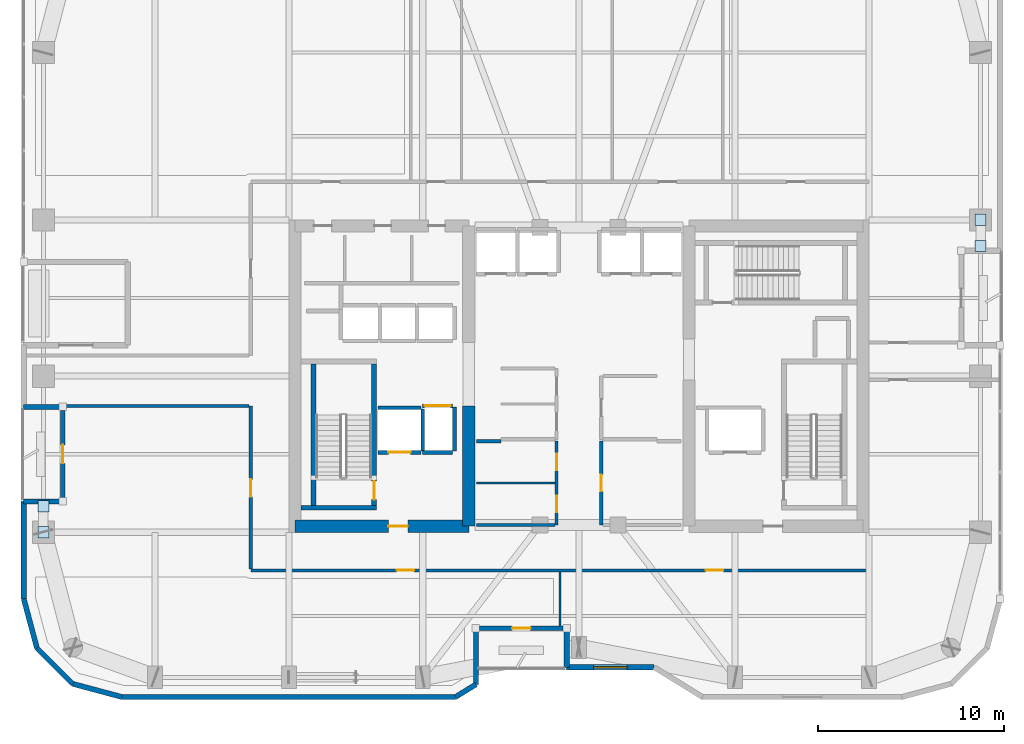
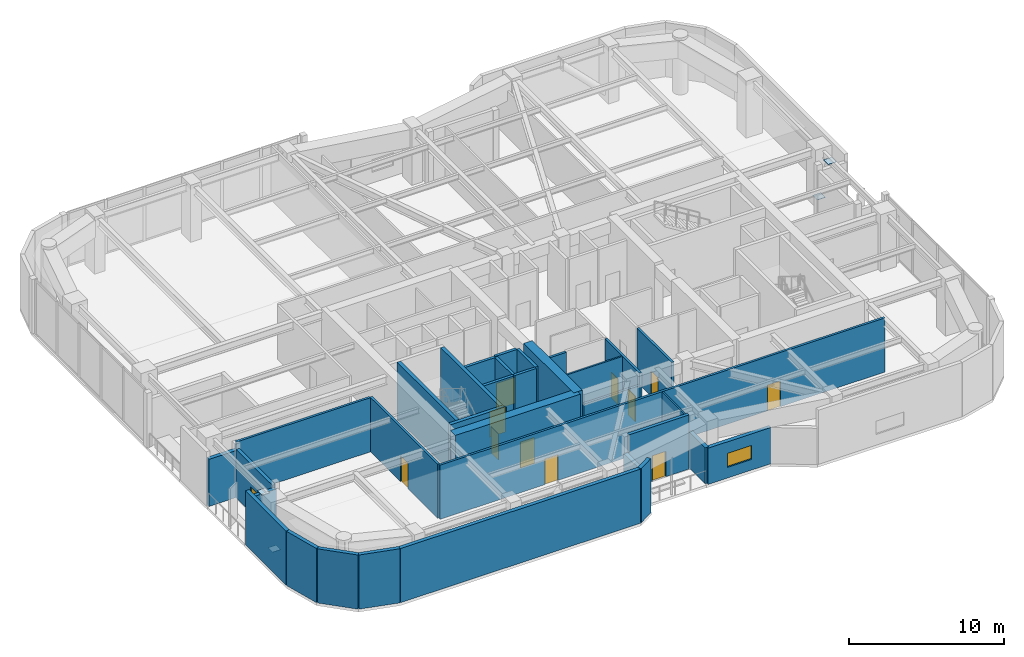
# One storey, part 15 of 21: 33 walls, 12 doors, 4 plates, 1 window, 13 openings.
"""IFC4 building model written with IfcOpenShell, lengths in metres."""

from ifc_helpers import new_model, si_unit, direction, frame, frame_2d, origin, origin_2d, place, context, subcontext, project, spatial, rectangle, extrude, material, layer, layer_set, type_object, element, fill, save


model = new_model("IFC4")

# Units and contexts
model_context = context("Model", 3, precision=1e-05, world=origin(), true_north=direction((0.0, 1.0)))
body_context = subcontext(model_context, "Body", "Model", "MODEL_VIEW")
ifc_project = project(units=[si_unit("LENGTHUNIT", "METRE"), si_unit("AREAUNIT", "SQUARE_METRE"), si_unit("VOLUMEUNIT", "CUBIC_METRE"), si_unit("PLANEANGLEUNIT", "RADIAN"), si_unit("MASSUNIT", "GRAM", prefix="KILO")], contexts=[model_context])

# Site, building, storey
site_placement = place(None, origin())
site = spatial("IfcSite", under=ifc_project, at=site_placement, CompositionType="ELEMENT")
building_placement = place(site_placement, origin())
building = spatial("IfcBuilding", under=site, at=building_placement, Name="Kiyonajd Concourse Tower", CompositionType="ELEMENT")
storey_placement = place(building_placement, frame((0.0, 0.0, 181.800048828125)))
storey = spatial("IfcBuildingStorey", under=building, at=storey_placement, Name="L46", CompositionType="ELEMENT", Elevation=181.800048828125)

# Plates
ifc_material_1 = material(Name="Steel ASTM A572 Grade 50", Category="steel")
ifc_layer_1 = layer(ifc_material_1, 0.028076171875)
ifc_layer_set_1 = layer_set([ifc_layer_1], Name="Steel ASTM A572 Grade 50")
plate_type = type_object("IfcPlateType", Name="PL-CAP-450", PredefinedType="USERDEFINED", material=ifc_layer_set_1)
for number, where, z_axis, x_axis, name in (
    (1, (19.199951171875, 27.595947265625, 0.275390625), (0.0, 0.0, 1.0), (1.0, 0.0, 0.0), "L46 Hollow Brace End Cap Plate PBW"),
    (2, (19.199951171875, 29.00390625, 3.92626953125), (0.0, 0.0, 1.0), (1.0, 0.0, 0.0), "L46 Hollow Brace Top Cap Plate PBW"),
    (3, (69.60009765625, 44.404052734375, 0.275390625), (0.0, 0.0, 1.0), (1.0, 0.0, 0.0), "L46 Hollow Brace End Cap Plate PBE"),
    (4, (69.60009765625, 42.99609375, 3.92626953125), (0.0, 0.0, 1.0), (1.0, 0.0, 0.0), "L46 Hollow Brace Top Cap Plate PBE"),
):
    element("IfcPlate", number, at=place(storey_placement, frame(where, z_axis=z_axis, x_axis=x_axis)), inside=storey, type_object=plate_type, Name=name, ObjectType="CAP PLATE", PredefinedType="USERDEFINED", context=body_context, shape_type="SweptSolid", body=[
        extrude(rectangle(XDim=0.60791015625, YDim=0.60791015625, at=origin_2d()), origin(), (0.0, 0.0, 1.0), 0.028076171875),
    ])

# Wall
ifc_material_2 = material(Name="Concrete C60/75", Category="concrete")
ifc_layer_2 = layer(ifc_material_2, 0.64990234375)
ifc_layer_set_2 = layer_set([ifc_layer_2], Name="Concrete C60/75")
wall_type_1 = type_object("IfcWallType", Name="WL-CORE-650", PredefinedType="SHEAR", material=ifc_layer_set_2)
wall_1_placement = place(storey_placement, frame((42.074951171875, 27.925048828125, 0.0), z_axis=(0.0, 0.0, 1.0), x_axis=(0.0, 1.0, 0.0)))
element("IfcWall", 5, at=wall_1_placement, inside=storey, type_object=wall_type_1, Name="L46 West Core Inner South Shear Wall", PredefinedType="SHEAR", context=body_context, shape_type="SweptSolid", body=[
    extrude(rectangle(XDim=6.474853515625, YDim=0.64990234375, at=frame_2d((3.2373046875, 0.0))), origin(), (0.0, 0.0, 1.0), 4.5),
])

# Wall, opening, door
wall_2_placement = place(storey_placement, frame((32.72509765625, 27.925048828125, 0.0), z_axis=(0.0, 0.0, 1.0), x_axis=(1.0, 0.0, 0.0)))
wall_2 = element("IfcWall", 6, at=wall_2_placement, inside=storey, type_object=wall_type_1, Name="L46 West Core South Shear Wall", PredefinedType="SHEAR", context=body_context, shape_type="SweptSolid", body=[
    extrude(rectangle(XDim=9.349853515625, YDim=0.64990234375, at=frame_2d((4.6748046875, 0.0))), origin(), (0.0, 0.0, 1.0), 4.5),
])
opening_1_placement = place(wall_2_placement, frame((5.02490234375, 0.0, 0.0)))
opening_1 = element("IfcOpeningElement", 7, at=opening_1_placement, cuts=wall_2, Name="Opening DF5", PredefinedType="OPENING", context=body_context, shape_type="SweptSolid", body=[
    extrude(rectangle(XDim=1.050048828125, YDim=2.0400390625, at=frame_2d((0.52490234375, 1.02001953125))), frame((0.0, 0.3349609375, 0.0), z_axis=(0.0, -1.0, 0.0), x_axis=(1.0, 0.0, 0.0)), (0.0, 0.0, 1.0), 0.669921875),
])
ifc_material_3 = material(Name="Brushed Stainless Steel Cab Assembly", Category="steel")
door_type_1 = type_object("IfcDoorType", Name="DR-FD45-1050", OperationType="NOTDEFINED", PredefinedType="DOOR", material=ifc_material_3)
door_1_placement = place(opening_1_placement, origin())
door_1 = element("IfcDoor", 8, at=door_1_placement, inside=storey, type_object=door_type_1, Name="L46 Firefighting Lift Lobby W Smoke Door", OperationType="SINGLE_SWING_LEFT", OverallHeight=2.0400390625, OverallWidth=1.050048828125, PredefinedType="DOOR", context=body_context, shape_type="SweptSolid", body=[
    extrude(rectangle(XDim=1.050048828125, YDim=2.0400390625, at=frame_2d((0.52490234375, 1.02001953125))), frame((0.0, 0.02490234375, 0.0), z_axis=(0.0, -1.0, 0.0), x_axis=(1.0, 0.0, 0.0)), (0.0, 0.0, 1.0), 0.050048828125),
])
fill(opening_1, door_1)

# Walls
ifc_material_4 = material(Name="Precast concrete C50/60", Category="concrete")
ifc_layer_3 = layer(ifc_material_4, 0.280029296875)
ifc_layer_set_3 = layer_set([ifc_layer_3], Name="Precast concrete C50/60")
wall_type_2 = type_object("IfcWallType", Name="WL-EXT-280", PredefinedType="SOLIDWALL", material=ifc_layer_set_3)
wall_3_placement = place(storey_placement, frame((18.139892578125, 24.018310546875, 0.0), z_axis=(0.0, 0.0, 1.0), x_axis=(0.0, 1.0, 0.0)))
element("IfcWall", 9, at=wall_3_placement, inside=storey, type_object=wall_type_2, Name="L46 Exterior Concrete Frame Wall 00", PredefinedType="SOLIDWALL", context=body_context, shape_type="SweptSolid", body=[
    extrude(rectangle(XDim=5.24169921875, YDim=0.280029296875, at=frame_2d((2.620849609375, 0.0))), origin(), (0.0, 0.0, 1.0), 4.280029296875),
])
for number, where, z_axis, x_axis, name in (
    (10, (18.139892578125, 29.260009765625, 0.0), (0.0, 0.0, 1.0), (1.0, 0.0, 0.0), "L46 Exterior Concrete Frame Wall 01"),
    (11, (20.239990234375, 34.340087890625, 0.0), (0.0, 0.0, 1.0), (-1.0, 0.0, 0.0), "L46 Exterior Concrete Frame Wall 03"),
):
    element("IfcWall", number, at=place(storey_placement, frame(where, z_axis=z_axis, x_axis=x_axis)), inside=storey, type_object=wall_type_2, Name=name, PredefinedType="SOLIDWALL", context=body_context, shape_type="SweptSolid", body=[
        extrude(rectangle(XDim=2.10009765625, YDim=0.280029296875, at=frame_2d((1.050048828125, 0.0))), origin(), (0.0, 0.0, 1.0), 3.716064453125),
    ])

# Wall, opening, window
wall_4_placement = place(storey_placement, frame((52.03955078125, 20.340087890625, 0.0), z_axis=(0.0, 0.0, 1.0), x_axis=(-1.0, 0.0, 0.0)))
wall_4 = element("IfcWall", 12, at=wall_4_placement, inside=storey, type_object=wall_type_2, Name="L46 Exterior Concrete Frame Wall 33", PredefinedType="SOLIDWALL", context=body_context, shape_type="SweptSolid", body=[
    extrude(rectangle(XDim=4.699462890625, YDim=0.280029296875, at=frame_2d((2.349609375, 0.0))), origin(), (0.0, 0.0, 1.0), 2.864990234375),
])
opening_2_placement = place(wall_4_placement, frame((1.449951171875, 0.0, 0.85009765625)))
opening_2 = element("IfcOpeningElement", 13, at=opening_2_placement, cuts=wall_4, Name="Opening WN1", PredefinedType="OPENING", context=body_context, shape_type="SweptSolid", body=[
    extrude(rectangle(XDim=1.800048828125, YDim=1.10009765625, at=frame_2d((0.89990234375, 0.550048828125))), frame((0.0, 0.14990234375, 0.0), z_axis=(0.0, -1.0, 0.0), x_axis=(1.0, 0.0, 0.0)), (0.0, 0.0, 1.0), 0.300048828125),
])
ifc_material_5 = material(Name="Double Low-E Insulated Glass", Category="glass")
window_type = type_object("IfcWindowType", Name="WN-VIS-1800x1100", PartitioningType="SINGLE_PANEL", PredefinedType="WINDOW", material=ifc_material_5)
window_placement = place(opening_2_placement, origin())
window = element("IfcWindow", 14, at=window_placement, inside=storey, type_object=window_type, Name="L46 Modular Facade Vision Window 33", OverallHeight=1.10009765625, OverallWidth=1.800048828125, PartitioningType="SINGLE_PANEL", PredefinedType="WINDOW", context=body_context, shape_type="SweptSolid", body=[
    extrude(rectangle(XDim=1.800048828125, YDim=1.10009765625, at=frame_2d((0.89990234375, 0.550048828125))), frame((0.0, 0.030029296875, 0.0), z_axis=(0.0, -1.0, 0.0), x_axis=(1.0, 0.0, 0.0)), (0.0, 0.0, 1.0), 0.06005859375),
])
fill(opening_2, window)

# Walls
wall_5_placement = place(storey_placement, frame((47.340087890625, 20.340087890625, 0.0), z_axis=(0.0, 0.0, 1.0), x_axis=(0.0, 1.0, 0.0)))
element("IfcWall", 15, at=wall_5_placement, inside=storey, type_object=wall_type_2, Name="L46 Exterior Concrete Frame Wall 34", PredefinedType="SOLIDWALL", context=body_context, shape_type="SweptSolid", body=[
    extrude(rectangle(XDim=2.099853515625, YDim=0.280029296875, at=frame_2d((1.0498046875, 0.0))), origin(), (0.0, 0.0, 1.0), 2.864990234375),
])
wall_6_placement = place(storey_placement, frame((42.4599609375, 22.43994140625, 0.0), z_axis=(0.0, 0.0, 1.0), x_axis=(0.0, -1.0, 0.0)))
element("IfcWall", 16, at=wall_6_placement, inside=storey, type_object=wall_type_2, Name="L46 Exterior Concrete Frame Wall 36", PredefinedType="SOLIDWALL", context=body_context, shape_type="SweptSolid", body=[
    extrude(rectangle(XDim=3.023681640625, YDim=0.280029296875, at=frame_2d((1.51171875, 0.0))), origin(), (0.0, 0.0, 1.0), 2.864990234375),
])
wall_7_placement = place(storey_placement, frame((42.4599609375, 19.416259765625, 0.0), z_axis=(0.0, 0.0, 1.0), x_axis=(-0.851801140441, -0.523865266212, 0.0)))
element("IfcWall", 17, at=wall_7_placement, inside=storey, type_object=wall_type_2, Name="L46 Exterior Concrete Frame Wall 37", PredefinedType="SOLIDWALL", context=body_context, shape_type="SweptSolid", body=[
    extrude(rectangle(XDim=1.291015625, YDim=0.280029296875, at=frame_2d((0.6455078125, 0.0))), origin(), (0.0, 0.0, 1.0), 4.280029296875),
])
wall_8_placement = place(storey_placement, frame((41.3603515625, 18.739990234375, 0.0), z_axis=(0.0, 0.0, 1.0), x_axis=(-1.0, 0.0, 0.0)))
element("IfcWall", 18, at=wall_8_placement, inside=storey, type_object=wall_type_2, Name="L46 Exterior Concrete Frame Wall 38", PredefinedType="SOLIDWALL", context=body_context, shape_type="SweptSolid", body=[
    extrude(rectangle(XDim=17.94189453125, YDim=0.280029296875, at=frame_2d((8.970947265625, 0.0))), origin(), (0.0, 0.0, 1.0), 4.280029296875),
])
wall_9_placement = place(storey_placement, frame((23.41845703125, 18.739990234375, 0.0), z_axis=(0.0, 0.0, 1.0), x_axis=(-0.965971118627, 0.258649952598, 0.0)))
element("IfcWall", 19, at=wall_9_placement, inside=storey, type_object=wall_type_2, Name="L46 Exterior Concrete Frame Wall 39", PredefinedType="SOLIDWALL", context=body_context, shape_type="SweptSolid", body=[
    extrude(rectangle(XDim=2.7392578125, YDim=0.280029296875, at=frame_2d((1.36962890625, 0.0))), origin(), (0.0, 0.0, 1.0), 4.280029296875),
])
wall_10_placement = place(storey_placement, frame((20.7724609375, 19.448486328125, 0.0), z_axis=(0.0, 0.0, 1.0), x_axis=(-0.707106781187, 0.707106781187, 0.0)))
element("IfcWall", 20, at=wall_10_placement, inside=storey, type_object=wall_type_2, Name="L46 Exterior Concrete Frame Wall 40", PredefinedType="SOLIDWALL", context=body_context, shape_type="SweptSolid", body=[
    extrude(rectangle(XDim=2.720947265625, YDim=0.280029296875, at=frame_2d((1.3603515625, 0.0))), origin(), (0.0, 0.0, 1.0), 4.280029296875),
])
wall_11_placement = place(storey_placement, frame((18.848388671875, 21.37255859375, 0.0), z_axis=(0.0, 0.0, 1.0), x_axis=(-0.258672222976, 0.9659651552, 0.0)))
element("IfcWall", 21, at=wall_11_placement, inside=storey, type_object=wall_type_2, Name="L46 Exterior Concrete Frame Wall 41", PredefinedType="SOLIDWALL", context=body_context, shape_type="SweptSolid", body=[
    extrude(rectangle(XDim=2.739013671875, YDim=0.280029296875, at=frame_2d((1.36962890625, 0.0))), origin(), (0.0, 0.0, 1.0), 4.280029296875),
])

# Wall, opening, door
ifc_layer_4 = layer(ifc_material_4, 0.239990234375)
ifc_layer_set_4 = layer_set([ifc_layer_4], Name="Precast concrete C50/60")
wall_type_3 = type_object("IfcWallType", Name="WL-LOG-240", PredefinedType="SOLIDWALL", material=ifc_layer_set_4)
wall_12_placement = place(storey_placement, frame((20.239990234375, 29.455078125, 0.0), z_axis=(0.0, 0.0, 1.0), x_axis=(0.0, 1.0, 0.0)))
wall_12 = element("IfcWall", 22, at=wall_12_placement, inside=storey, type_object=wall_type_3, Name="L46 Recessed Loggia Thermal Wall LOG-W", PredefinedType="SOLIDWALL", context=body_context, shape_type="SweptSolid", body=[
    extrude(rectangle(XDim=4.68994140625, YDim=0.239990234375, at=frame_2d((2.344970703125, 0.0))), origin(), (0.0, 0.0, 1.0), 3.847900390625),
])
opening_3_placement = place(wall_12_placement, frame((1.844970703125, 0.0, 0.0)))
opening_3 = element("IfcOpeningElement", 23, at=opening_3_placement, cuts=wall_12, Name="Opening DL1", PredefinedType="OPENING", context=body_context, shape_type="SweptSolid", body=[
    extrude(rectangle(XDim=1.0, YDim=2.02001953125, at=frame_2d((0.5, 1.010009765625))), frame((0.0, 0.1298828125, 0.0), z_axis=(0.0, -1.0, 0.0), x_axis=(1.0, 0.0, 0.0)), (0.0, 0.0, 1.0), 0.260009765625),
])
ifc_material_6 = material(Name="Thermally Broken Anodised Aluminium", Category="aluminium")
door_type_2 = type_object("IfcDoorType", Name="DR-LOG-1000", OperationType="NOTDEFINED", PredefinedType="DOOR", material=ifc_material_6)
door_2_placement = place(opening_3_placement, origin())
door_2 = element("IfcDoor", 24, at=door_2_placement, inside=storey, type_object=door_type_2, Name="L46 Engawa Loggia Access Door LOG-W", OperationType="SINGLE_SWING_LEFT", OverallHeight=2.02001953125, OverallWidth=1.0, PredefinedType="DOOR", context=body_context, shape_type="SweptSolid", body=[
    extrude(rectangle(XDim=1.0, YDim=2.02001953125, at=frame_2d((0.5, 1.010009765625))), frame((0.0, 0.02490234375, 0.0), z_axis=(0.0, -1.0, 0.0), x_axis=(1.0, 0.0, 0.0)), (0.0, 0.0, 1.0), 0.050048828125),
])
fill(opening_3, door_2)

wall_13_placement = place(storey_placement, frame((47.14501953125, 22.43994140625, 0.0), z_axis=(0.0, 0.0, 1.0), x_axis=(-1.0, 0.0, 0.0)))
wall_13 = element("IfcWall", 25, at=wall_13_placement, inside=storey, type_object=wall_type_3, Name="L46 Recessed Loggia Thermal Wall LOG-S", PredefinedType="SOLIDWALL", context=body_context, shape_type="SweptSolid", body=[
    extrude(rectangle(XDim=4.489990234375, YDim=0.239990234375, at=frame_2d((2.2451171875, 0.0))), origin(), (0.0, 0.0, 1.0), 4.280029296875),
])
opening_4_placement = place(wall_13_placement, frame((1.7451171875, 0.0, 0.0)))
opening_4 = element("IfcOpeningElement", 26, at=opening_4_placement, cuts=wall_13, Name="Opening DL1", PredefinedType="OPENING", context=body_context, shape_type="SweptSolid", body=[
    extrude(rectangle(XDim=1.0, YDim=2.02001953125, at=frame_2d((0.5, 1.010009765625))), frame((0.0, 0.1298828125, 0.0), z_axis=(0.0, -1.0, 0.0), x_axis=(1.0, 0.0, 0.0)), (0.0, 0.0, 1.0), 0.260009765625),
])
door_3_placement = place(opening_4_placement, origin())
door_3 = element("IfcDoor", 27, at=door_3_placement, inside=storey, type_object=door_type_2, Name="L46 Engawa Loggia Access Door LOG-S", OperationType="SINGLE_SWING_RIGHT", OverallHeight=2.02001953125, OverallWidth=1.0, PredefinedType="DOOR", context=body_context, shape_type="SweptSolid", body=[
    extrude(rectangle(XDim=1.0, YDim=2.02001953125, at=frame_2d((0.5, 1.010009765625))), frame((0.0, 0.02490234375, 0.0), z_axis=(0.0, -1.0, 0.0), x_axis=(1.0, 0.0, 0.0)), (0.0, 0.0, 1.0), 0.050048828125),
])
fill(opening_4, door_3)

# Walls
ifc_material_7 = material(Name="Gypsum Board on Cold-Formed Steel Stud", Category="steel")
ifc_layer_5 = layer(ifc_material_7, 0.125)
ifc_layer_set_5 = layer_set([ifc_layer_5], Name="Gypsum Board on Cold-Formed Steel Stud")
wall_type_4 = type_object("IfcWallType", Name="WL-PART-125", PredefinedType="PARTITIONING", material=ifc_layer_set_5)
wall_14_placement = place(storey_placement, frame((42.5, 30.25, 0.0), z_axis=(0.0, 0.0, 1.0), x_axis=(1.0, 0.0, 0.0)))
element("IfcWall", 28, at=wall_14_placement, inside=storey, type_object=wall_type_4, Name="L46 Interior Partition Wall", PredefinedType="PARTITIONING", context=body_context, shape_type="SweptSolid", body=[
    extrude(rectangle(XDim=4.212890625, YDim=0.125, at=frame_2d((2.1064453125, 0.0))), origin(), (0.0, 0.0, 1.0), 4.280029296875),
])
wall_15_placement = place(storey_placement, frame((46.97998046875, 22.554931640625, 0.0), z_axis=(0.0, 0.0, 1.0), x_axis=(0.0, 1.0, 0.0)))
element("IfcWall", 29, at=wall_15_placement, inside=storey, type_object=wall_type_4, Name="L46 Interior Partition Wall", PredefinedType="PARTITIONING", context=body_context, shape_type="SweptSolid", body=[
    extrude(rectangle(XDim=2.907958984375, YDim=0.125, at=frame_2d((1.4541015625, 0.0))), origin(), (0.0, 0.0, 1.0), 4.280029296875),
])

# Wall, opening, door
ifc_layer_6 = layer(ifc_material_7, 0.2099609375)
ifc_layer_set_6 = layer_set([ifc_layer_6], Name="Gypsum Board on Cold-Formed Steel Stud")
wall_type_5 = type_object("IfcWallType", Name="WL-SHAFT-210", PredefinedType="PARTITIONING", material=ifc_layer_set_6)
wall_16_placement = place(storey_placement, frame((37.199951171875, 31.89990234375, 0.0), z_axis=(0.0, 0.0, 1.0), x_axis=(1.0, 0.0, 0.0)))
wall_16 = element("IfcWall", 30, at=wall_16_placement, inside=storey, type_object=wall_type_5, Name="L46 Shaft Enclosure Wall", PredefinedType="PARTITIONING", context=body_context, shape_type="SweptSolid", body=[
    extrude(rectangle(XDim=2.300048828125, YDim=0.2099609375, at=frame_2d((1.14990234375, 0.0))), origin(), (0.0, 0.0, 1.0), 4.280029296875),
])
opening_5_placement = place(wall_16_placement, frame((0.550048828125, 0.0, 0.0)))
opening_5 = element("IfcOpeningElement", 31, at=opening_5_placement, cuts=wall_16, Name="Opening LD2", PredefinedType="OPENING", context=body_context, shape_type="SweptSolid", body=[
    extrude(rectangle(XDim=1.199951171875, YDim=2.0400390625, at=frame_2d((0.60009765625, 1.02001953125))), frame((0.0, 0.114990234375, 0.0), z_axis=(0.0, -1.0, 0.0), x_axis=(1.0, 0.0, 0.0)), (0.0, 0.0, 1.0), 0.22998046875),
])
door_type_3 = type_object("IfcDoorType", Name="DR-LD-1200", OperationType="DOUBLE_DOOR_SLIDING", PredefinedType="DOOR", material=ifc_material_3)
door_4_placement = place(opening_5_placement, origin())
door_4 = element("IfcDoor", 32, at=door_4_placement, inside=storey, type_object=door_type_3, Name="L46 Lift FFL1 Sliding Landing Door", OperationType="DOUBLE_DOOR_SLIDING", OverallHeight=2.0400390625, OverallWidth=1.199951171875, PredefinedType="DOOR", context=body_context, shape_type="SweptSolid", body=[
    extrude(rectangle(XDim=1.199951171875, YDim=2.0400390625, at=frame_2d((0.60009765625, 1.02001953125))), frame((0.0, 0.02490234375, 0.0), z_axis=(0.0, -1.0, 0.0), x_axis=(1.0, 0.0, 0.0)), (0.0, 0.0, 1.0), 0.050048828125),
])
fill(opening_5, door_4)

# Walls
wall_17_placement = place(storey_placement, frame((37.199951171875, 34.300048828125, 0.0), z_axis=(0.0, 0.0, 1.0), x_axis=(1.0, 0.0, 0.0)))
element("IfcWall", 33, at=wall_17_placement, inside=storey, type_object=wall_type_5, Name="L46 Shaft Enclosure Wall", PredefinedType="PARTITIONING", context=body_context, shape_type="SweptSolid", body=[
    extrude(rectangle(XDim=2.300048828125, YDim=0.2099609375, at=frame_2d((1.14990234375, 0.0))), origin(), (0.0, 0.0, 1.0), 4.280029296875),
])
wall_18_placement = place(storey_placement, frame((39.60009765625, 31.9599609375, 0.0), z_axis=(0.0, 0.0, 1.0), x_axis=(0.0, 1.0, 0.0)))
element("IfcWall", 34, at=wall_18_placement, inside=storey, type_object=wall_type_5, Name="L46 Shaft Enclosure Wall", PredefinedType="PARTITIONING", context=body_context, shape_type="SweptSolid", body=[
    extrude(rectangle(XDim=2.280029296875, YDim=0.2099609375, at=frame_2d((1.14013671875, 0.0))), origin(), (0.0, 0.0, 1.0), 4.280029296875),
])

# Wall, opening, door
wall_19_placement = place(storey_placement, frame((39.60009765625, 34.39990234375, 0.0), z_axis=(0.0, 0.0, 1.0), x_axis=(1.0, 0.0, 0.0)))
wall_19 = element("IfcWall", 35, at=wall_19_placement, inside=storey, type_object=wall_type_5, Name="L46 Shaft Enclosure Wall", PredefinedType="PARTITIONING", context=body_context, shape_type="SweptSolid", body=[
    extrude(rectangle(XDim=1.599853515625, YDim=0.2099609375, at=frame_2d((0.7998046875, 0.0))), origin(), (0.0, 0.0, 1.0), 4.280029296875),
])
opening_6_placement = place(wall_19_placement, frame((0.10009765625, 0.0, 0.0)))
opening_6 = element("IfcOpeningElement", 36, at=opening_6_placement, cuts=wall_19, Name="Opening LD3", PredefinedType="OPENING", context=body_context, shape_type="SweptSolid", body=[
    extrude(rectangle(XDim=1.39990234375, YDim=2.06005859375, at=frame_2d((0.699951171875, 1.030029296875))), frame((0.0, 0.114990234375, 0.0), z_axis=(0.0, -1.0, 0.0), x_axis=(1.0, 0.0, 0.0)), (0.0, 0.0, 1.0), 0.22998046875),
])
door_type_4 = type_object("IfcDoorType", Name="DR-LD-1400", OperationType="DOUBLE_DOOR_SLIDING", PredefinedType="DOOR", material=ifc_material_3)
door_5_placement = place(opening_6_placement, origin())
door_5 = element("IfcDoor", 37, at=door_5_placement, inside=storey, type_object=door_type_4, Name="L46 Lift SVL1 Sliding Landing Door", OperationType="DOUBLE_DOOR_SLIDING", OverallHeight=2.06005859375, OverallWidth=1.39990234375, PredefinedType="DOOR", context=body_context, shape_type="SweptSolid", body=[
    extrude(rectangle(XDim=1.39990234375, YDim=2.06005859375, at=frame_2d((0.699951171875, 1.030029296875))), frame((0.0, 0.02490234375, 0.0), z_axis=(0.0, -1.0, 0.0), x_axis=(1.0, 0.0, 0.0)), (0.0, 0.0, 1.0), 0.050048828125),
])
fill(opening_6, door_5)

# Walls
wall_20_placement = place(storey_placement, frame((39.60009765625, 31.89990234375, 0.0), z_axis=(0.0, 0.0, 1.0), x_axis=(1.0, 0.0, 0.0)))
element("IfcWall", 38, at=wall_20_placement, inside=storey, type_object=wall_type_5, Name="L46 Shaft Enclosure Wall", PredefinedType="PARTITIONING", context=body_context, shape_type="SweptSolid", body=[
    extrude(rectangle(XDim=1.599853515625, YDim=0.2099609375, at=frame_2d((0.7998046875, 0.0))), origin(), (0.0, 0.0, 1.0), 4.280029296875),
])
wall_21_placement = place(storey_placement, frame((41.300048828125, 31.9599609375, 0.0), z_axis=(0.0, 0.0, 1.0), x_axis=(0.0, 1.0, 0.0)))
element("IfcWall", 39, at=wall_21_placement, inside=storey, type_object=wall_type_5, Name="L46 Shaft Enclosure Wall", PredefinedType="PARTITIONING", context=body_context, shape_type="SweptSolid", body=[
    extrude(rectangle(XDim=2.380126953125, YDim=0.2099609375, at=frame_2d((1.18994140625, 0.0))), origin(), (0.0, 0.0, 1.0), 4.280029296875),
])

# Wall, openings, doors
ifc_layer_7 = layer(ifc_material_7, 0.169921875)
ifc_layer_set_7 = layer_set([ifc_layer_7], Name="Gypsum Board on Cold-Formed Steel Stud")
wall_type_6 = type_object("IfcWallType", Name="WL-SMK-170", PredefinedType="PARTITIONING", material=ifc_layer_set_7)
wall_22_placement = place(storey_placement, frame((46.800048828125, 28.0, 0.0), z_axis=(0.0, 0.0, 1.0), x_axis=(0.0, 1.0, 0.0)))
wall_22 = element("IfcWall", 40, at=wall_22_placement, inside=storey, type_object=wall_type_6, Name="L46 Interior Partition Wall", PredefinedType="PARTITIONING", context=body_context, shape_type="SweptSolid", body=[
    extrude(rectangle(XDim=4.5, YDim=0.169921875, at=frame_2d((2.25, 0.0))), origin(), (0.0, 0.0, 1.0), 4.280029296875),
])
opening_7_placement = place(wall_22_placement, frame((0.675048828125, 0.0, 0.0)))
opening_7 = element("IfcOpeningElement", 41, at=opening_7_placement, cuts=wall_22, Name="Opening DI2", PredefinedType="OPENING", context=body_context, shape_type="SweptSolid", body=[
    extrude(rectangle(XDim=0.89990234375, YDim=2.02001953125, at=frame_2d((0.449951171875, 1.010009765625))), frame((0.0, 0.094970703125, 0.0), z_axis=(0.0, -1.0, 0.0), x_axis=(1.0, 0.0, 0.0)), (0.0, 0.0, 1.0), 0.18994140625),
])
opening_8_placement = place(wall_22_placement, frame((2.925048828125, 0.0, 0.0)))
opening_8 = element("IfcOpeningElement", 42, at=opening_8_placement, cuts=wall_22, Name="Opening DI2", PredefinedType="OPENING", context=body_context, shape_type="SweptSolid", body=[
    extrude(rectangle(XDim=0.89990234375, YDim=2.02001953125, at=frame_2d((0.449951171875, 1.010009765625))), frame((0.0, 0.094970703125, 0.0), z_axis=(0.0, -1.0, 0.0), x_axis=(1.0, 0.0, 0.0)), (0.0, 0.0, 1.0), 0.18994140625),
])
ifc_material_8 = material(Name="Natural Oak Acoustic Timber Veneer", Category="wood")
door_type_5 = type_object("IfcDoorType", Name="DR-INT-900", OperationType="NOTDEFINED", PredefinedType="DOOR", material=ifc_material_8)
door_6_placement = place(opening_7_placement, origin())
door_6 = element("IfcDoor", 43, at=door_6_placement, inside=storey, type_object=door_type_5, Name="L46 Interior Door", OperationType="SINGLE_SWING_LEFT", OverallHeight=2.02001953125, OverallWidth=0.89990234375, PredefinedType="DOOR", context=body_context, shape_type="SweptSolid", body=[
    extrude(rectangle(XDim=0.89990234375, YDim=2.02001953125, at=frame_2d((0.449951171875, 1.010009765625))), frame((0.0, 0.02490234375, 0.0), z_axis=(0.0, -1.0, 0.0), x_axis=(1.0, 0.0, 0.0)), (0.0, 0.0, 1.0), 0.050048828125),
])
fill(opening_7, door_6)
door_7_placement = place(opening_8_placement, origin())
door_7 = element("IfcDoor", 44, at=door_7_placement, inside=storey, type_object=door_type_5, Name="L46 Interior Door", OperationType="SINGLE_SWING_RIGHT", OverallHeight=2.02001953125, OverallWidth=0.89990234375, PredefinedType="DOOR", context=body_context, shape_type="SweptSolid", body=[
    extrude(rectangle(XDim=0.89990234375, YDim=2.02001953125, at=frame_2d((0.449951171875, 1.010009765625))), frame((0.0, 0.02490234375, 0.0), z_axis=(0.0, -1.0, 0.0), x_axis=(1.0, 0.0, 0.0)), (0.0, 0.0, 1.0), 0.050048828125),
])
fill(opening_8, door_7)

# Walls
wall_23_placement = place(storey_placement, frame((42.5, 28.0, 0.0), z_axis=(0.0, 0.0, 1.0), x_axis=(1.0, 0.0, 0.0)))
element("IfcWall", 45, at=wall_23_placement, inside=storey, type_object=wall_type_6, Name="L46 Interior Partition Wall", PredefinedType="PARTITIONING", context=body_context, shape_type="SweptSolid", body=[
    extrude(rectangle(XDim=4.212890625, YDim=0.169921875, at=frame_2d((2.1064453125, 0.0))), origin(), (0.0, 0.0, 1.0), 3.364990234375),
])
wall_24_placement = place(storey_placement, frame((42.5, 32.5, 0.0), z_axis=(0.0, 0.0, 1.0), x_axis=(1.0, 0.0, 0.0)))
element("IfcWall", 46, at=wall_24_placement, inside=storey, type_object=wall_type_6, Name="L46 Interior Partition Wall", PredefinedType="PARTITIONING", context=body_context, shape_type="SweptSolid", body=[
    extrude(rectangle(XDim=1.300048828125, YDim=0.169921875, at=frame_2d((0.64990234375, 0.0))), origin(), (0.0, 0.0, 1.0), 4.280029296875),
])

# Wall, opening, door
wall_25_placement = place(storey_placement, frame((49.199951171875, 28.0, 0.0), z_axis=(0.0, 0.0, 1.0), x_axis=(0.0, 1.0, 0.0)))
wall_25 = element("IfcWall", 47, at=wall_25_placement, inside=storey, type_object=wall_type_6, Name="L46 Interior Partition Wall", PredefinedType="PARTITIONING", context=body_context, shape_type="SweptSolid", body=[
    extrude(rectangle(XDim=4.5, YDim=0.169921875, at=frame_2d((2.25, 0.0))), origin(), (0.0, 0.0, 1.0), 4.280029296875),
])
opening_9_placement = place(wall_25_placement, frame((1.800048828125, 0.0, 0.0)))
opening_9 = element("IfcOpeningElement", 48, at=opening_9_placement, cuts=wall_25, Name="Opening DI2", PredefinedType="OPENING", context=body_context, shape_type="SweptSolid", body=[
    extrude(rectangle(XDim=0.89990234375, YDim=2.02001953125, at=frame_2d((0.449951171875, 1.010009765625))), frame((0.0, 0.094970703125, 0.0), z_axis=(0.0, -1.0, 0.0), x_axis=(1.0, 0.0, 0.0)), (0.0, 0.0, 1.0), 0.18994140625),
])
door_8_placement = place(opening_9_placement, origin())
door_8 = element("IfcDoor", 49, at=door_8_placement, inside=storey, type_object=door_type_5, Name="L46 Interior Door", OperationType="SINGLE_SWING_LEFT", OverallHeight=2.02001953125, OverallWidth=0.89990234375, PredefinedType="DOOR", context=body_context, shape_type="SweptSolid", body=[
    extrude(rectangle(XDim=0.89990234375, YDim=2.02001953125, at=frame_2d((0.449951171875, 1.010009765625))), frame((0.0, 0.02490234375, 0.0), z_axis=(0.0, -1.0, 0.0), x_axis=(1.0, 0.0, 0.0)), (0.0, 0.0, 1.0), 0.050048828125),
])
fill(opening_9, door_8)

# Wall, openings, doors
wall_26_placement = place(storey_placement, frame((30.35009765625, 25.550048828125, 0.0), z_axis=(0.0, 0.0, 1.0), x_axis=(1.0, 0.0, 0.0)))
wall_26 = element("IfcWall", 50, at=wall_26_placement, inside=storey, type_object=wall_type_6, Name="L46 Interior Partition Wall", PredefinedType="PARTITIONING", context=body_context, shape_type="SweptSolid", body=[
    extrude(rectangle(XDim=33.25, YDim=0.169921875, at=frame_2d((16.625, 0.0))), origin(), (0.0, 0.0, 1.0), 4.280029296875),
])
opening_10_placement = place(wall_26_placement, frame((7.840087890625, 0.0, 0.0)))
opening_10 = element("IfcOpeningElement", 51, at=opening_10_placement, cuts=wall_26, Name="Opening DI1", PredefinedType="OPENING", context=body_context, shape_type="SweptSolid", body=[
    extrude(rectangle(XDim=0.949951171875, YDim=2.0400390625, at=frame_2d((0.47509765625, 1.02001953125))), frame((0.0, 0.094970703125, 0.0), z_axis=(0.0, -1.0, 0.0), x_axis=(1.0, 0.0, 0.0)), (0.0, 0.0, 1.0), 0.18994140625),
])
opening_11_placement = place(wall_26_placement, frame((24.465087890625, 0.0, 0.0)))
opening_11 = element("IfcOpeningElement", 52, at=opening_11_placement, cuts=wall_26, Name="Opening DI1", PredefinedType="OPENING", context=body_context, shape_type="SweptSolid", body=[
    extrude(rectangle(XDim=0.949951171875, YDim=2.0400390625, at=frame_2d((0.47509765625, 1.02001953125))), frame((0.0, 0.094970703125, 0.0), z_axis=(0.0, -1.0, 0.0), x_axis=(1.0, 0.0, 0.0)), (0.0, 0.0, 1.0), 0.18994140625),
])
door_type_6 = type_object("IfcDoorType", Name="DR-INT-950", OperationType="NOTDEFINED", PredefinedType="DOOR", material=ifc_material_8)
door_9_placement = place(opening_10_placement, origin())
door_9 = element("IfcDoor", 53, at=door_9_placement, inside=storey, type_object=door_type_6, Name="L46 Interior Door", OperationType="SINGLE_SWING_RIGHT", OverallHeight=2.0400390625, OverallWidth=0.949951171875, PredefinedType="DOOR", context=body_context, shape_type="SweptSolid", body=[
    extrude(rectangle(XDim=0.949951171875, YDim=2.0400390625, at=frame_2d((0.47509765625, 1.02001953125))), frame((0.0, 0.02490234375, 0.0), z_axis=(0.0, -1.0, 0.0), x_axis=(1.0, 0.0, 0.0)), (0.0, 0.0, 1.0), 0.050048828125),
])
fill(opening_10, door_9)
door_10_placement = place(opening_11_placement, origin())
door_10 = element("IfcDoor", 54, at=door_10_placement, inside=storey, type_object=door_type_6, Name="L46 Interior Door", OperationType="SINGLE_SWING_LEFT", OverallHeight=2.0400390625, OverallWidth=0.949951171875, PredefinedType="DOOR", context=body_context, shape_type="SweptSolid", body=[
    extrude(rectangle(XDim=0.949951171875, YDim=2.0400390625, at=frame_2d((0.47509765625, 1.02001953125))), frame((0.0, 0.02490234375, 0.0), z_axis=(0.0, -1.0, 0.0), x_axis=(1.0, 0.0, 0.0)), (0.0, 0.0, 1.0), 0.050048828125),
])
fill(opening_11, door_10)

# Wall, opening, door
wall_27_placement = place(storey_placement, frame((30.35009765625, 25.636962890625, 0.0), z_axis=(0.0, 0.0, 1.0), x_axis=(0.0, 1.0, 0.0)))
wall_27 = element("IfcWall", 55, at=wall_27_placement, inside=storey, type_object=wall_type_6, Name="L46 Interior Partition Wall", PredefinedType="PARTITIONING", context=body_context, shape_type="SweptSolid", body=[
    extrude(rectangle(XDim=8.762939453125, YDim=0.169921875, at=frame_2d((4.38134765625, 0.0))), origin(), (0.0, 0.0, 1.0), 4.280029296875),
])
opening_12_placement = place(wall_27_placement, frame((3.863037109375, 0.0, 0.0)))
opening_12 = element("IfcOpeningElement", 56, at=opening_12_placement, cuts=wall_27, Name="Opening DI1", PredefinedType="OPENING", context=body_context, shape_type="SweptSolid", body=[
    extrude(rectangle(XDim=0.949951171875, YDim=2.0400390625, at=frame_2d((0.47509765625, 1.02001953125))), frame((0.0, 0.094970703125, 0.0), z_axis=(0.0, -1.0, 0.0), x_axis=(1.0, 0.0, 0.0)), (0.0, 0.0, 1.0), 0.18994140625),
])
door_11_placement = place(opening_12_placement, origin())
door_11 = element("IfcDoor", 57, at=door_11_placement, inside=storey, type_object=door_type_6, Name="L46 Interior Door", OperationType="SINGLE_SWING_LEFT", OverallHeight=2.0400390625, OverallWidth=0.949951171875, PredefinedType="DOOR", context=body_context, shape_type="SweptSolid", body=[
    extrude(rectangle(XDim=0.949951171875, YDim=2.0400390625, at=frame_2d((0.47509765625, 1.02001953125))), frame((0.0, 0.02490234375, 0.0), z_axis=(0.0, -1.0, 0.0), x_axis=(1.0, 0.0, 0.0)), (0.0, 0.0, 1.0), 0.050048828125),
])
fill(opening_12, door_11)

# Walls
wall_28_placement = place(storey_placement, frame((20.239990234375, 34.39990234375, 0.0), z_axis=(0.0, 0.0, 1.0), x_axis=(1.0, 0.0, 0.0)))
element("IfcWall", 58, at=wall_28_placement, inside=storey, type_object=wall_type_6, Name="L46 Interior Partition Wall", PredefinedType="PARTITIONING", context=body_context, shape_type="SweptSolid", body=[
    extrude(rectangle(XDim=10.02294921875, YDim=0.169921875, at=frame_2d((5.011474609375, 0.0))), origin(), (0.0, 0.0, 1.0), 4.280029296875),
])
ifc_material_9 = material(Name="Concrete C50/60", Category="concrete")
ifc_layer_8 = layer(ifc_material_9, 0.260009765625)
ifc_layer_set_8 = layer_set([ifc_layer_8], Name="Concrete C50/60")
wall_type_7 = type_object("IfcWallType", Name="WL-STAIR-260", PredefinedType="SHEAR", material=ifc_layer_set_8)
wall_29_placement = place(storey_placement, frame((33.050048828125, 28.919921875, 0.0), z_axis=(0.0, 0.0, 1.0), x_axis=(1.0, 0.0, 0.0)))
element("IfcWall", 59, at=wall_29_placement, inside=storey, type_object=wall_type_7, Name="L46 Stair ST1 Structural South Wall", PredefinedType="SHEAR", context=body_context, shape_type="SweptSolid", body=[
    extrude(rectangle(XDim=4.06005859375, YDim=0.260009765625, at=frame_2d((2.030029296875, 0.0))), origin(), (0.0, 0.0, 1.0), 4.5),
])
wall_30_placement = place(storey_placement, frame((33.719970703125, 29.050048828125, 0.0), z_axis=(0.0, 0.0, 1.0), x_axis=(0.0, 1.0, 0.0)))
element("IfcWall", 60, at=wall_30_placement, inside=storey, type_object=wall_type_7, Name="L46 Stair ST1 Structural West Wall", PredefinedType="SHEAR", context=body_context, shape_type="SweptSolid", body=[
    extrude(rectangle(XDim=7.599853515625, YDim=0.260009765625, at=frame_2d((3.7998046875, 0.0))), origin(), (0.0, 0.0, 1.0), 4.5),
])

# Wall, opening, door
wall_31_placement = place(storey_placement, frame((36.97998046875, 29.050048828125, 0.0), z_axis=(0.0, 0.0, 1.0), x_axis=(0.0, 1.0, 0.0)))
wall_31 = element("IfcWall", 61, at=wall_31_placement, inside=storey, type_object=wall_type_7, Name="L46 Stair ST1 Structural East Wall", PredefinedType="SHEAR", context=body_context, shape_type="SweptSolid", body=[
    extrude(rectangle(XDim=7.599853515625, YDim=0.260009765625, at=frame_2d((3.7998046875, 0.0))), origin(), (0.0, 0.0, 1.0), 4.5),
])
opening_13_placement = place(wall_31_placement, frame((0.300048828125, 0.0, 0.0)))
opening_13 = element("IfcOpeningElement", 62, at=opening_13_placement, cuts=wall_31, Name="Opening DF1", PredefinedType="OPENING", context=body_context, shape_type="SweptSolid", body=[
    extrude(rectangle(XDim=1.0, YDim=2.0400390625, at=frame_2d((0.5, 1.02001953125))), frame((0.0, 0.139892578125, 0.0), z_axis=(0.0, -1.0, 0.0), x_axis=(1.0, 0.0, 0.0)), (0.0, 0.0, 1.0), 0.280029296875),
])
door_type_7 = type_object("IfcDoorType", Name="DR-FD90-1000", OperationType="NOTDEFINED", PredefinedType="DOOR", material=ifc_material_3)
door_12_placement = place(opening_13_placement, origin())
door_12 = element("IfcDoor", 63, at=door_12_placement, inside=storey, type_object=door_type_7, Name="L46 Stair ST1 FSAE Door", OperationType="SINGLE_SWING_LEFT", OverallHeight=2.0400390625, OverallWidth=1.0, PredefinedType="DOOR", context=body_context, shape_type="SweptSolid", body=[
    extrude(rectangle(XDim=1.0, YDim=2.0400390625, at=frame_2d((0.5, 1.02001953125))), frame((0.0, 0.02490234375, 0.0), z_axis=(0.0, -1.0, 0.0), x_axis=(1.0, 0.0, 0.0)), (0.0, 0.0, 1.0), 0.050048828125),
])
fill(opening_13, door_12)

save(model, "model.ifc")
